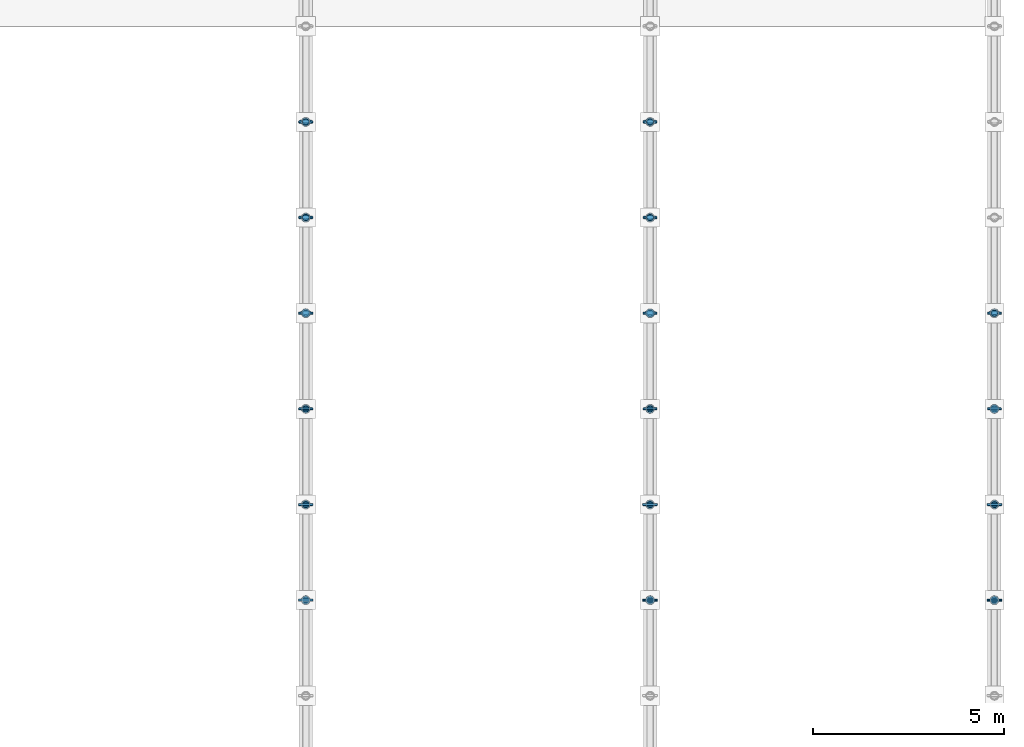
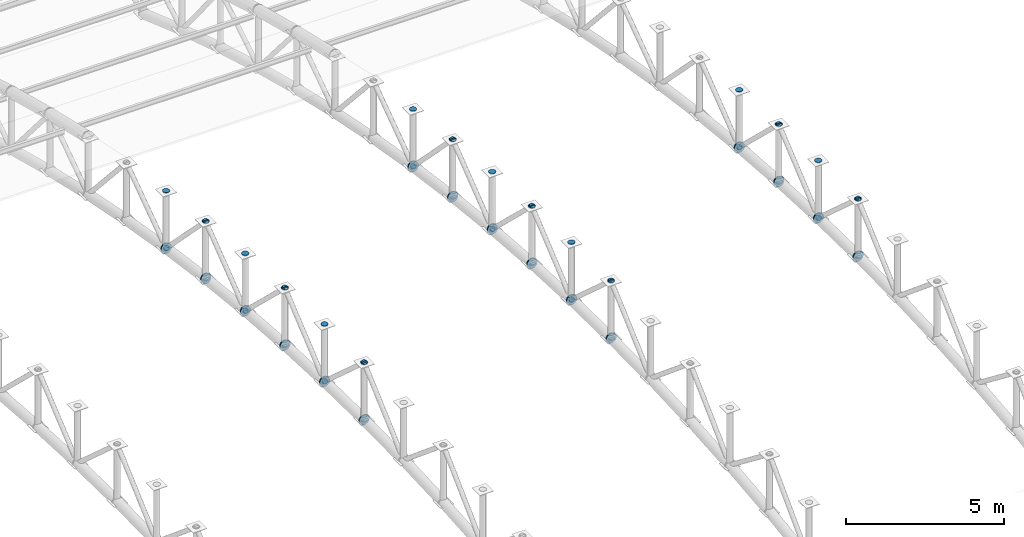
# One storey, part 163 of 195: 95 discrete accessories.
"""IFC4 building model written with IfcOpenShell, lengths in metres."""

from ifc_helpers import new_model, si_unit, direction, frame, origin, origin_2d, place, context, subcontext, project, spatial, circle, extrude, material, element, save


model = new_model("IFC4")

# Units and contexts
model_context = context("Model", 3, precision=1e-05, world=origin(), true_north=direction((0.0, 1.0)))
body_context = subcontext(model_context, "Body", "Model", "MODEL_VIEW")
ifc_project = project(units=[si_unit("LENGTHUNIT", "METRE"), si_unit("AREAUNIT", "SQUARE_METRE"), si_unit("VOLUMEUNIT", "CUBIC_METRE"), si_unit("PLANEANGLEUNIT", "RADIAN"), si_unit("MASSUNIT", "GRAM", prefix="KILO")], contexts=[model_context])

# Site, building, storey
site_placement = place(None, origin())
site = spatial("IfcSite", under=ifc_project, at=site_placement, CompositionType="ELEMENT")
building_placement = place(site_placement, origin())
building = spatial("IfcBuilding", under=site, at=building_placement, Name="Marlcrest Central Station", CompositionType="ELEMENT")
storey_placement = place(building_placement, frame((0.0, 0.0, 9.800048828125)))
storey = spatial("IfcBuildingStorey", under=building, at=storey_placement, Name="L02", CompositionType="ELEMENT", Elevation=9.800048828125)

# Discrete accessories
ifc_material = material(Name="Steel S355", Category="steel")
discrete_accessory_1_placement = place(storey_placement, frame((198.0, 65.9814453125, 6.9833984375), z_axis=(0.0, 0.744955843007, 0.66711377738), x_axis=(-1.0, 0.0, 0.0)))
element("IfcDiscreteAccessory", 1, at=discrete_accessory_1_placement, inside=storey, material=ifc_material, Name="endcap-mem-AD-01-L02-01835-e", ObjectType="END_CAP_PLATE", PredefinedType="BRACKET", context=body_context, shape_type="SweptSolid", body=[
    extrude(circle(Radius=0.092041015625, at=origin_2d()), origin(), (0.0, 0.0, 1.0), 0.0400390625),
])
for number, where, z_axis, x_axis, name in (
    (2, (198.0, 65.985107421875, 4.80029296875), (0.0, 0.999879472592, -0.01552547228), (-1.0, 0.0, 0.0), "endcap-mem-AC-02-L02-01837-s"),
    (3, (198.0, 68.47509765625, 4.76171875), (0.0, 0.999879472592, -0.01552547228), (-1.0, 0.0, 0.0), "endcap-mem-AC-02-L02-01837-e"),
):
    element("IfcDiscreteAccessory", number, at=place(storey_placement, frame(where, z_axis=z_axis, x_axis=x_axis)), inside=storey, material=ifc_material, Name=name, ObjectType="END_CAP_PLATE", PredefinedType="BRACKET", context=body_context, shape_type="SweptSolid", body=[
        extrude(circle(Radius=0.185791015625, at=origin_2d()), origin(), (0.0, 0.0, 1.0), 0.0400390625),
    ])
for number, where, z_axis, x_axis, name in (
    (4, (198.0, 66.0, 4.78515625), (0.0, 0.0, 1.0), (1.0, 0.0, 0.0), "endcap-mem-AP-01-L02-01838-s"),
    (5, (198.0, 66.0, 6.97509765625), (0.0, 0.0, 1.0), (1.0, 0.0, 0.0), "endcap-mem-AP-01-L02-01838-e"),
):
    element("IfcDiscreteAccessory", number, at=place(storey_placement, frame(where, z_axis=z_axis, x_axis=x_axis)), inside=storey, material=ifc_material, Name=name, ObjectType="END_CAP_PLATE", PredefinedType="BRACKET", context=body_context, shape_type="SweptSolid", body=[
        extrude(circle(Radius=0.117431640625, at=origin_2d()), origin(), (0.0, 0.0, 1.0), 0.0400390625),
    ])
for number, where, z_axis, x_axis, name in (
    (6, (198.0, 65.98876953125, 7.010009765625), (0.0, 0.744955843007, -0.66711377738), (-1.0, 0.0, 0.0), "endcap-mem-AD-01-L02-01839-s"),
    (7, (198.0, 68.4814453125, 4.77783203125), (0.0, 0.744955843007, -0.66711377738), (-1.0, 0.0, 0.0), "endcap-mem-AD-01-L02-01839-e"),
):
    element("IfcDiscreteAccessory", number, at=place(storey_placement, frame(where, z_axis=z_axis, x_axis=x_axis)), inside=storey, material=ifc_material, Name=name, ObjectType="END_CAP_PLATE", PredefinedType="BRACKET", context=body_context, shape_type="SweptSolid", body=[
        extrude(circle(Radius=0.092041015625, at=origin_2d()), origin(), (0.0, 0.0, 1.0), 0.0400390625),
    ])
for number, where, z_axis, x_axis, name in (
    (8, (198.0, 68.485107421875, 4.761962890625), (0.0, 0.998916819647, -0.046531574509), (-1.0, 0.0, 0.0), "endcap-mem-AC-02-L02-01841-s"),
    (9, (198.0, 70.97509765625, 4.64599609375), (0.0, 0.998916819647, -0.046531574509), (-1.0, 0.0, 0.0), "endcap-mem-AC-02-L02-01841-e"),
):
    element("IfcDiscreteAccessory", number, at=place(storey_placement, frame(where, z_axis=z_axis, x_axis=x_axis)), inside=storey, material=ifc_material, Name=name, ObjectType="END_CAP_PLATE", PredefinedType="BRACKET", context=body_context, shape_type="SweptSolid", body=[
        extrude(circle(Radius=0.185791015625, at=origin_2d()), origin(), (0.0, 0.0, 1.0), 0.0400390625),
    ])
for number, where, z_axis, x_axis, name in (
    (10, (198.0, 68.5, 4.746337890625), (0.0, 0.0, 1.0), (1.0, 0.0, 0.0), "endcap-mem-AP-01-L02-01842-s"),
    (11, (198.0, 68.5, 6.936279296875), (0.0, 0.0, 1.0), (1.0, 0.0, 0.0), "endcap-mem-AP-01-L02-01842-e"),
):
    element("IfcDiscreteAccessory", number, at=place(storey_placement, frame(where, z_axis=z_axis, x_axis=x_axis)), inside=storey, material=ifc_material, Name=name, ObjectType="END_CAP_PLATE", PredefinedType="BRACKET", context=body_context, shape_type="SweptSolid", body=[
        extrude(circle(Radius=0.117431640625, at=origin_2d()), origin(), (0.0, 0.0, 1.0), 0.0400390625),
    ])
for number, where, z_axis, x_axis, name in (
    (12, (198.0, 68.488525390625, 4.751708984375), (0.0, 0.768159787854, 0.640258182552), (-1.0, 0.0, 0.0), "endcap-mem-AD-01-L02-01843-s"),
    (13, (198.0, 70.980712890625, 6.828857421875), (0.0, 0.768159787854, 0.640258182552), (-1.0, 0.0, 0.0), "endcap-mem-AD-01-L02-01843-e"),
):
    element("IfcDiscreteAccessory", number, at=place(storey_placement, frame(where, z_axis=z_axis, x_axis=x_axis)), inside=storey, material=ifc_material, Name=name, ObjectType="END_CAP_PLATE", PredefinedType="BRACKET", context=body_context, shape_type="SweptSolid", body=[
        extrude(circle(Radius=0.092041015625, at=origin_2d()), origin(), (0.0, 0.0, 1.0), 0.0400390625),
    ])
for number, where, z_axis, x_axis, name in (
    (14, (198.0, 70.985107421875, 4.64599609375), (0.0, 0.997007334767, -0.077307014043), (-1.0, 0.0, 0.0), "endcap-mem-AC-02-L02-01845-s"),
    (15, (198.0, 73.47509765625, 4.452880859375), (0.0, 0.997007334767, -0.077307014043), (-1.0, 0.0, 0.0), "endcap-mem-AC-02-L02-01845-e"),
):
    element("IfcDiscreteAccessory", number, at=place(storey_placement, frame(where, z_axis=z_axis, x_axis=x_axis)), inside=storey, material=ifc_material, Name=name, ObjectType="END_CAP_PLATE", PredefinedType="BRACKET", context=body_context, shape_type="SweptSolid", body=[
        extrude(circle(Radius=0.185791015625, at=origin_2d()), origin(), (0.0, 0.0, 1.0), 0.0400390625),
    ])
for number, where, z_axis, x_axis, name in (
    (16, (198.0, 71.0, 4.6298828125), (0.0, 0.0, 1.0), (1.0, 0.0, 0.0), "endcap-mem-AP-01-L02-01846-s"),
    (17, (198.0, 71.0, 6.820068359375), (0.0, 0.0, 1.0), (1.0, 0.0, 0.0), "endcap-mem-AP-01-L02-01846-e"),
):
    element("IfcDiscreteAccessory", number, at=place(storey_placement, frame(where, z_axis=z_axis, x_axis=x_axis)), inside=storey, material=ifc_material, Name=name, ObjectType="END_CAP_PLATE", PredefinedType="BRACKET", context=body_context, shape_type="SweptSolid", body=[
        extrude(circle(Radius=0.117431640625, at=origin_2d()), origin(), (0.0, 0.0, 1.0), 0.0400390625),
    ])
for number, where, z_axis, x_axis, name in (
    (18, (198.0, 70.9892578125, 6.855224609375), (0.0, 0.722246537655, -0.691635698071), (-1.0, 0.0, 0.0), "endcap-mem-AD-01-L02-01847-s"),
    (19, (198.0, 73.48193359375, 4.46826171875), (0.0, 0.722246537655, -0.691635698071), (-1.0, 0.0, 0.0), "endcap-mem-AD-01-L02-01847-e"),
):
    element("IfcDiscreteAccessory", number, at=place(storey_placement, frame(where, z_axis=z_axis, x_axis=x_axis)), inside=storey, material=ifc_material, Name=name, ObjectType="END_CAP_PLATE", PredefinedType="BRACKET", context=body_context, shape_type="SweptSolid", body=[
        extrude(circle(Radius=0.092041015625, at=origin_2d()), origin(), (0.0, 0.0, 1.0), 0.0400390625),
    ])
for number, where, z_axis, x_axis, name in (
    (20, (198.0, 73.485107421875, 4.45263671875), (0.0, 0.994155341034, -0.107959056565), (-1.0, 0.0, 0.0), "endcap-mem-AC-02-L02-01849-s"),
    (21, (198.0, 75.97509765625, 4.18212890625), (0.0, 0.994155341034, -0.107959056565), (-1.0, 0.0, 0.0), "endcap-mem-AC-02-L02-01849-e"),
):
    element("IfcDiscreteAccessory", number, at=place(storey_placement, frame(where, z_axis=z_axis, x_axis=x_axis)), inside=storey, material=ifc_material, Name=name, ObjectType="END_CAP_PLATE", PredefinedType="BRACKET", context=body_context, shape_type="SweptSolid", body=[
        extrude(circle(Radius=0.185791015625, at=origin_2d()), origin(), (0.0, 0.0, 1.0), 0.0400390625),
    ])
for number, where, z_axis, x_axis, name in (
    (22, (198.0, 73.5, 4.43603515625), (0.0, 0.0, 1.0), (1.0, 0.0, 0.0), "endcap-mem-AP-01-L02-01850-s"),
    (23, (198.0, 73.5, 6.6259765625), (0.0, 0.0, 1.0), (1.0, 0.0, 0.0), "endcap-mem-AP-01-L02-01850-e"),
):
    element("IfcDiscreteAccessory", number, at=place(storey_placement, frame(where, z_axis=z_axis, x_axis=x_axis)), inside=storey, material=ifc_material, Name=name, ObjectType="END_CAP_PLATE", PredefinedType="BRACKET", context=body_context, shape_type="SweptSolid", body=[
        extrude(circle(Radius=0.117431640625, at=origin_2d()), origin(), (0.0, 0.0, 1.0), 0.0400390625),
    ])
for number, where, z_axis, x_axis, name in (
    (24, (198.0, 73.488037109375, 4.441650390625), (0.0, 0.791798282026, 0.610782678684), (-1.0, 0.0, 0.0), "endcap-mem-AD-01-L02-01851-s"),
    (25, (198.0, 75.980224609375, 6.364013671875), (0.0, 0.791798282026, 0.610782678684), (-1.0, 0.0, 0.0), "endcap-mem-AD-01-L02-01851-e"),
):
    element("IfcDiscreteAccessory", number, at=place(storey_placement, frame(where, z_axis=z_axis, x_axis=x_axis)), inside=storey, material=ifc_material, Name=name, ObjectType="END_CAP_PLATE", PredefinedType="BRACKET", context=body_context, shape_type="SweptSolid", body=[
        extrude(circle(Radius=0.092041015625, at=origin_2d()), origin(), (0.0, 0.0, 1.0), 0.0400390625),
    ])
for number, where, z_axis, x_axis, name in (
    (26, (198.0, 75.985107421875, 4.181396484375), (0.0, 0.990402740232, -0.138211476152), (-1.0, 0.0, 0.0), "endcap-mem-AC-02-L02-01853-s"),
    (27, (198.0, 78.475341796875, 3.833984375), (0.0, 0.990402740232, -0.138211476152), (-1.0, 0.0, 0.0), "endcap-mem-AC-02-L02-01853-e"),
):
    element("IfcDiscreteAccessory", number, at=place(storey_placement, frame(where, z_axis=z_axis, x_axis=x_axis)), inside=storey, material=ifc_material, Name=name, ObjectType="END_CAP_PLATE", PredefinedType="BRACKET", context=body_context, shape_type="SweptSolid", body=[
        extrude(circle(Radius=0.185791015625, at=origin_2d()), origin(), (0.0, 0.0, 1.0), 0.0400390625),
    ])
for number, where, z_axis, x_axis, name in (
    (28, (198.0, 76.0, 4.16455078125), (0.0, 0.0, 1.0), (1.0, 0.0, 0.0), "endcap-mem-AP-01-L02-01854-s"),
    (29, (198.0, 76.0, 6.3544921875), (0.0, 0.0, 1.0), (1.0, 0.0, 0.0), "endcap-mem-AP-01-L02-01854-e"),
):
    element("IfcDiscreteAccessory", number, at=place(storey_placement, frame(where, z_axis=z_axis, x_axis=x_axis)), inside=storey, material=ifc_material, Name=name, ObjectType="END_CAP_PLATE", PredefinedType="BRACKET", context=body_context, shape_type="SweptSolid", body=[
        extrude(circle(Radius=0.117431640625, at=origin_2d()), origin(), (0.0, 0.0, 1.0), 0.0400390625),
    ])
for number, where, z_axis, x_axis, name in (
    (30, (198.0, 75.989501953125, 6.39013671875), (0.0, 0.70023547796, -0.713911952139), (-1.0, 0.0, 0.0), "endcap-mem-AD-01-L02-01855-s"),
    (31, (198.0, 78.482421875, 3.848388671875), (0.0, 0.70023547796, -0.713911952139), (-1.0, 0.0, 0.0), "endcap-mem-AD-01-L02-01855-e"),
):
    element("IfcDiscreteAccessory", number, at=place(storey_placement, frame(where, z_axis=z_axis, x_axis=x_axis)), inside=storey, material=ifc_material, Name=name, ObjectType="END_CAP_PLATE", PredefinedType="BRACKET", context=body_context, shape_type="SweptSolid", body=[
        extrude(circle(Radius=0.092041015625, at=origin_2d()), origin(), (0.0, 0.0, 1.0), 0.0400390625),
    ])
discrete_accessory_2_placement = place(storey_placement, frame((198.0, 78.485107421875, 3.8330078125), z_axis=(0.0, 0.98574109921, -0.168269086076), x_axis=(-1.0, 0.0, 0.0)))
element("IfcDiscreteAccessory", 32, at=discrete_accessory_2_placement, inside=storey, material=ifc_material, Name="endcap-mem-AC-02-L02-01857-s", ObjectType="END_CAP_PLATE", PredefinedType="BRACKET", context=body_context, shape_type="SweptSolid", body=[
    extrude(circle(Radius=0.185791015625, at=origin_2d()), origin(), (0.0, 0.0, 1.0), 0.0400390625),
])
for number, where, z_axis, x_axis, name in (
    (33, (198.0, 78.5, 3.815673828125), (0.0, 0.0, 1.0), (1.0, 0.0, 0.0), "endcap-mem-AP-01-L02-01858-s"),
    (34, (198.0, 78.5, 6.005615234375), (0.0, 0.0, 1.0), (1.0, 0.0, 0.0), "endcap-mem-AP-01-L02-01858-e"),
):
    element("IfcDiscreteAccessory", number, at=place(storey_placement, frame(where, z_axis=z_axis, x_axis=x_axis)), inside=storey, material=ifc_material, Name=name, ObjectType="END_CAP_PLATE", PredefinedType="BRACKET", context=body_context, shape_type="SweptSolid", body=[
        extrude(circle(Radius=0.117431640625, at=origin_2d()), origin(), (0.0, 0.0, 1.0), 0.0400390625),
    ])
discrete_accessory_3_placement = place(storey_placement, frame((198.0, 78.48779296875, 3.82177734375), z_axis=(0.0, 0.815661132754, 0.57852996164), x_axis=(-1.0, 0.0, 0.0)))
element("IfcDiscreteAccessory", 35, at=discrete_accessory_3_placement, inside=storey, material=ifc_material, Name="endcap-mem-AD-01-L02-01859-s", ObjectType="END_CAP_PLATE", PredefinedType="BRACKET", context=body_context, shape_type="SweptSolid", body=[
    extrude(circle(Radius=0.092041015625, at=origin_2d()), origin(), (0.0, 0.0, 1.0), 0.0400390625),
])
discrete_accessory_4_placement = place(storey_placement, frame((207.0, 65.97509765625, 4.799560546875), z_axis=(0.0, 0.999879472592, 0.01552547228), x_axis=(-1.0, 0.0, 0.0)))
element("IfcDiscreteAccessory", 36, at=discrete_accessory_4_placement, inside=storey, material=ifc_material, Name="endcap-mem-AC-02-L02-01949-e", ObjectType="END_CAP_PLATE", PredefinedType="BRACKET", context=body_context, shape_type="SweptSolid", body=[
    extrude(circle(Radius=0.185791015625, at=origin_2d()), origin(), (0.0, 0.0, 1.0), 0.0400390625),
])
discrete_accessory_5_placement = place(storey_placement, frame((207.0, 65.9814453125, 6.9833984375), z_axis=(0.0, 0.744955843007, 0.66711377738), x_axis=(-1.0, 0.0, 0.0)))
element("IfcDiscreteAccessory", 37, at=discrete_accessory_5_placement, inside=storey, material=ifc_material, Name="endcap-mem-AD-01-L02-01951-e", ObjectType="END_CAP_PLATE", PredefinedType="BRACKET", context=body_context, shape_type="SweptSolid", body=[
    extrude(circle(Radius=0.092041015625, at=origin_2d()), origin(), (0.0, 0.0, 1.0), 0.0400390625),
])
for number, where, z_axis, x_axis, name in (
    (38, (207.0, 65.985107421875, 4.80029296875), (0.0, 0.999879472592, -0.01552547228), (-1.0, 0.0, 0.0), "endcap-mem-AC-02-L02-01953-s"),
    (39, (207.0, 68.47509765625, 4.76171875), (0.0, 0.999879472592, -0.01552547228), (-1.0, 0.0, 0.0), "endcap-mem-AC-02-L02-01953-e"),
):
    element("IfcDiscreteAccessory", number, at=place(storey_placement, frame(where, z_axis=z_axis, x_axis=x_axis)), inside=storey, material=ifc_material, Name=name, ObjectType="END_CAP_PLATE", PredefinedType="BRACKET", context=body_context, shape_type="SweptSolid", body=[
        extrude(circle(Radius=0.185791015625, at=origin_2d()), origin(), (0.0, 0.0, 1.0), 0.0400390625),
    ])
for number, where, z_axis, x_axis, name in (
    (40, (207.0, 66.0, 4.78515625), (0.0, 0.0, 1.0), (1.0, 0.0, 0.0), "endcap-mem-AP-01-L02-01954-s"),
    (41, (207.0, 66.0, 6.97509765625), (0.0, 0.0, 1.0), (1.0, 0.0, 0.0), "endcap-mem-AP-01-L02-01954-e"),
):
    element("IfcDiscreteAccessory", number, at=place(storey_placement, frame(where, z_axis=z_axis, x_axis=x_axis)), inside=storey, material=ifc_material, Name=name, ObjectType="END_CAP_PLATE", PredefinedType="BRACKET", context=body_context, shape_type="SweptSolid", body=[
        extrude(circle(Radius=0.117431640625, at=origin_2d()), origin(), (0.0, 0.0, 1.0), 0.0400390625),
    ])
for number, where, z_axis, x_axis, name in (
    (42, (207.0, 65.98876953125, 7.010009765625), (0.0, 0.744955843007, -0.66711377738), (-1.0, 0.0, 0.0), "endcap-mem-AD-01-L02-01955-s"),
    (43, (207.0, 68.4814453125, 4.77783203125), (0.0, 0.744955843007, -0.66711377738), (-1.0, 0.0, 0.0), "endcap-mem-AD-01-L02-01955-e"),
):
    element("IfcDiscreteAccessory", number, at=place(storey_placement, frame(where, z_axis=z_axis, x_axis=x_axis)), inside=storey, material=ifc_material, Name=name, ObjectType="END_CAP_PLATE", PredefinedType="BRACKET", context=body_context, shape_type="SweptSolid", body=[
        extrude(circle(Radius=0.092041015625, at=origin_2d()), origin(), (0.0, 0.0, 1.0), 0.0400390625),
    ])
for number, where, z_axis, x_axis, name in (
    (44, (207.0, 68.485107421875, 4.761962890625), (0.0, 0.998916819647, -0.046531574509), (-1.0, 0.0, 0.0), "endcap-mem-AC-02-L02-01957-s"),
    (45, (207.0, 70.97509765625, 4.64599609375), (0.0, 0.998916819647, -0.046531574509), (-1.0, 0.0, 0.0), "endcap-mem-AC-02-L02-01957-e"),
):
    element("IfcDiscreteAccessory", number, at=place(storey_placement, frame(where, z_axis=z_axis, x_axis=x_axis)), inside=storey, material=ifc_material, Name=name, ObjectType="END_CAP_PLATE", PredefinedType="BRACKET", context=body_context, shape_type="SweptSolid", body=[
        extrude(circle(Radius=0.185791015625, at=origin_2d()), origin(), (0.0, 0.0, 1.0), 0.0400390625),
    ])
for number, where, z_axis, x_axis, name in (
    (46, (207.0, 68.5, 4.746337890625), (0.0, 0.0, 1.0), (1.0, 0.0, 0.0), "endcap-mem-AP-01-L02-01958-s"),
    (47, (207.0, 68.5, 6.936279296875), (0.0, 0.0, 1.0), (1.0, 0.0, 0.0), "endcap-mem-AP-01-L02-01958-e"),
):
    element("IfcDiscreteAccessory", number, at=place(storey_placement, frame(where, z_axis=z_axis, x_axis=x_axis)), inside=storey, material=ifc_material, Name=name, ObjectType="END_CAP_PLATE", PredefinedType="BRACKET", context=body_context, shape_type="SweptSolid", body=[
        extrude(circle(Radius=0.117431640625, at=origin_2d()), origin(), (0.0, 0.0, 1.0), 0.0400390625),
    ])
for number, where, z_axis, x_axis, name in (
    (48, (207.0, 68.488525390625, 4.751708984375), (0.0, 0.768159787854, 0.640258182552), (-1.0, 0.0, 0.0), "endcap-mem-AD-01-L02-01959-s"),
    (49, (207.0, 70.980712890625, 6.828857421875), (0.0, 0.768159787854, 0.640258182552), (-1.0, 0.0, 0.0), "endcap-mem-AD-01-L02-01959-e"),
):
    element("IfcDiscreteAccessory", number, at=place(storey_placement, frame(where, z_axis=z_axis, x_axis=x_axis)), inside=storey, material=ifc_material, Name=name, ObjectType="END_CAP_PLATE", PredefinedType="BRACKET", context=body_context, shape_type="SweptSolid", body=[
        extrude(circle(Radius=0.092041015625, at=origin_2d()), origin(), (0.0, 0.0, 1.0), 0.0400390625),
    ])
for number, where, z_axis, x_axis, name in (
    (50, (207.0, 70.985107421875, 4.64599609375), (0.0, 0.997007334767, -0.077307014043), (-1.0, 0.0, 0.0), "endcap-mem-AC-02-L02-01961-s"),
    (51, (207.0, 73.47509765625, 4.452880859375), (0.0, 0.997007334767, -0.077307014043), (-1.0, 0.0, 0.0), "endcap-mem-AC-02-L02-01961-e"),
):
    element("IfcDiscreteAccessory", number, at=place(storey_placement, frame(where, z_axis=z_axis, x_axis=x_axis)), inside=storey, material=ifc_material, Name=name, ObjectType="END_CAP_PLATE", PredefinedType="BRACKET", context=body_context, shape_type="SweptSolid", body=[
        extrude(circle(Radius=0.185791015625, at=origin_2d()), origin(), (0.0, 0.0, 1.0), 0.0400390625),
    ])
for number, where, z_axis, x_axis, name in (
    (52, (207.0, 71.0, 4.6298828125), (0.0, 0.0, 1.0), (1.0, 0.0, 0.0), "endcap-mem-AP-01-L02-01962-s"),
    (53, (207.0, 71.0, 6.820068359375), (0.0, 0.0, 1.0), (1.0, 0.0, 0.0), "endcap-mem-AP-01-L02-01962-e"),
):
    element("IfcDiscreteAccessory", number, at=place(storey_placement, frame(where, z_axis=z_axis, x_axis=x_axis)), inside=storey, material=ifc_material, Name=name, ObjectType="END_CAP_PLATE", PredefinedType="BRACKET", context=body_context, shape_type="SweptSolid", body=[
        extrude(circle(Radius=0.117431640625, at=origin_2d()), origin(), (0.0, 0.0, 1.0), 0.0400390625),
    ])
for number, where, z_axis, x_axis, name in (
    (54, (207.0, 70.9892578125, 6.855224609375), (0.0, 0.722246537655, -0.691635698071), (-1.0, 0.0, 0.0), "endcap-mem-AD-01-L02-01963-s"),
    (55, (207.0, 73.48193359375, 4.46826171875), (0.0, 0.722246537655, -0.691635698071), (-1.0, 0.0, 0.0), "endcap-mem-AD-01-L02-01963-e"),
):
    element("IfcDiscreteAccessory", number, at=place(storey_placement, frame(where, z_axis=z_axis, x_axis=x_axis)), inside=storey, material=ifc_material, Name=name, ObjectType="END_CAP_PLATE", PredefinedType="BRACKET", context=body_context, shape_type="SweptSolid", body=[
        extrude(circle(Radius=0.092041015625, at=origin_2d()), origin(), (0.0, 0.0, 1.0), 0.0400390625),
    ])
for number, where, z_axis, x_axis, name in (
    (56, (207.0, 73.485107421875, 4.45263671875), (0.0, 0.994155341034, -0.107959056565), (-1.0, 0.0, 0.0), "endcap-mem-AC-02-L02-01965-s"),
    (57, (207.0, 75.97509765625, 4.18212890625), (0.0, 0.994155341034, -0.107959056565), (-1.0, 0.0, 0.0), "endcap-mem-AC-02-L02-01965-e"),
):
    element("IfcDiscreteAccessory", number, at=place(storey_placement, frame(where, z_axis=z_axis, x_axis=x_axis)), inside=storey, material=ifc_material, Name=name, ObjectType="END_CAP_PLATE", PredefinedType="BRACKET", context=body_context, shape_type="SweptSolid", body=[
        extrude(circle(Radius=0.185791015625, at=origin_2d()), origin(), (0.0, 0.0, 1.0), 0.0400390625),
    ])
for number, where, z_axis, x_axis, name in (
    (58, (207.0, 73.5, 4.43603515625), (0.0, 0.0, 1.0), (1.0, 0.0, 0.0), "endcap-mem-AP-01-L02-01966-s"),
    (59, (207.0, 73.5, 6.6259765625), (0.0, 0.0, 1.0), (1.0, 0.0, 0.0), "endcap-mem-AP-01-L02-01966-e"),
):
    element("IfcDiscreteAccessory", number, at=place(storey_placement, frame(where, z_axis=z_axis, x_axis=x_axis)), inside=storey, material=ifc_material, Name=name, ObjectType="END_CAP_PLATE", PredefinedType="BRACKET", context=body_context, shape_type="SweptSolid", body=[
        extrude(circle(Radius=0.117431640625, at=origin_2d()), origin(), (0.0, 0.0, 1.0), 0.0400390625),
    ])
for number, where, z_axis, x_axis, name in (
    (60, (207.0, 73.488037109375, 4.441650390625), (0.0, 0.791798282026, 0.610782678684), (-1.0, 0.0, 0.0), "endcap-mem-AD-01-L02-01967-s"),
    (61, (207.0, 75.980224609375, 6.364013671875), (0.0, 0.791798282026, 0.610782678684), (-1.0, 0.0, 0.0), "endcap-mem-AD-01-L02-01967-e"),
):
    element("IfcDiscreteAccessory", number, at=place(storey_placement, frame(where, z_axis=z_axis, x_axis=x_axis)), inside=storey, material=ifc_material, Name=name, ObjectType="END_CAP_PLATE", PredefinedType="BRACKET", context=body_context, shape_type="SweptSolid", body=[
        extrude(circle(Radius=0.092041015625, at=origin_2d()), origin(), (0.0, 0.0, 1.0), 0.0400390625),
    ])
for number, where, z_axis, x_axis, name in (
    (62, (207.0, 75.985107421875, 4.181396484375), (0.0, 0.990402740232, -0.138211476152), (-1.0, 0.0, 0.0), "endcap-mem-AC-02-L02-01969-s"),
    (63, (207.0, 78.475341796875, 3.833984375), (0.0, 0.990402740232, -0.138211476152), (-1.0, 0.0, 0.0), "endcap-mem-AC-02-L02-01969-e"),
):
    element("IfcDiscreteAccessory", number, at=place(storey_placement, frame(where, z_axis=z_axis, x_axis=x_axis)), inside=storey, material=ifc_material, Name=name, ObjectType="END_CAP_PLATE", PredefinedType="BRACKET", context=body_context, shape_type="SweptSolid", body=[
        extrude(circle(Radius=0.185791015625, at=origin_2d()), origin(), (0.0, 0.0, 1.0), 0.0400390625),
    ])
for number, where, z_axis, x_axis, name in (
    (64, (207.0, 76.0, 4.16455078125), (0.0, 0.0, 1.0), (1.0, 0.0, 0.0), "endcap-mem-AP-01-L02-01970-s"),
    (65, (207.0, 76.0, 6.3544921875), (0.0, 0.0, 1.0), (1.0, 0.0, 0.0), "endcap-mem-AP-01-L02-01970-e"),
):
    element("IfcDiscreteAccessory", number, at=place(storey_placement, frame(where, z_axis=z_axis, x_axis=x_axis)), inside=storey, material=ifc_material, Name=name, ObjectType="END_CAP_PLATE", PredefinedType="BRACKET", context=body_context, shape_type="SweptSolid", body=[
        extrude(circle(Radius=0.117431640625, at=origin_2d()), origin(), (0.0, 0.0, 1.0), 0.0400390625),
    ])
for number, where, z_axis, x_axis, name in (
    (66, (207.0, 75.989501953125, 6.39013671875), (0.0, 0.70023547796, -0.713911952139), (-1.0, 0.0, 0.0), "endcap-mem-AD-01-L02-01971-s"),
    (67, (207.0, 78.482421875, 3.848388671875), (0.0, 0.70023547796, -0.713911952139), (-1.0, 0.0, 0.0), "endcap-mem-AD-01-L02-01971-e"),
):
    element("IfcDiscreteAccessory", number, at=place(storey_placement, frame(where, z_axis=z_axis, x_axis=x_axis)), inside=storey, material=ifc_material, Name=name, ObjectType="END_CAP_PLATE", PredefinedType="BRACKET", context=body_context, shape_type="SweptSolid", body=[
        extrude(circle(Radius=0.092041015625, at=origin_2d()), origin(), (0.0, 0.0, 1.0), 0.0400390625),
    ])
discrete_accessory_6_placement = place(storey_placement, frame((207.0, 78.485107421875, 3.8330078125), z_axis=(0.0, 0.98574109921, -0.168269086076), x_axis=(-1.0, 0.0, 0.0)))
element("IfcDiscreteAccessory", 68, at=discrete_accessory_6_placement, inside=storey, material=ifc_material, Name="endcap-mem-AC-02-L02-01973-s", ObjectType="END_CAP_PLATE", PredefinedType="BRACKET", context=body_context, shape_type="SweptSolid", body=[
    extrude(circle(Radius=0.185791015625, at=origin_2d()), origin(), (0.0, 0.0, 1.0), 0.0400390625),
])
for number, where, z_axis, x_axis, name in (
    (69, (207.0, 78.5, 3.815673828125), (0.0, 0.0, 1.0), (1.0, 0.0, 0.0), "endcap-mem-AP-01-L02-01974-s"),
    (70, (207.0, 78.5, 6.005615234375), (0.0, 0.0, 1.0), (1.0, 0.0, 0.0), "endcap-mem-AP-01-L02-01974-e"),
):
    element("IfcDiscreteAccessory", number, at=place(storey_placement, frame(where, z_axis=z_axis, x_axis=x_axis)), inside=storey, material=ifc_material, Name=name, ObjectType="END_CAP_PLATE", PredefinedType="BRACKET", context=body_context, shape_type="SweptSolid", body=[
        extrude(circle(Radius=0.117431640625, at=origin_2d()), origin(), (0.0, 0.0, 1.0), 0.0400390625),
    ])
discrete_accessory_7_placement = place(storey_placement, frame((207.0, 78.48779296875, 3.82177734375), z_axis=(0.0, 0.815661132754, 0.57852996164), x_axis=(-1.0, 0.0, 0.0)))
element("IfcDiscreteAccessory", 71, at=discrete_accessory_7_placement, inside=storey, material=ifc_material, Name="endcap-mem-AD-01-L02-01975-s", ObjectType="END_CAP_PLATE", PredefinedType="BRACKET", context=body_context, shape_type="SweptSolid", body=[
    extrude(circle(Radius=0.092041015625, at=origin_2d()), origin(), (0.0, 0.0, 1.0), 0.0400390625),
])
discrete_accessory_8_placement = place(storey_placement, frame((216.0, 65.97509765625, 4.799560546875), z_axis=(0.0, 0.999879472592, 0.01552547228), x_axis=(-1.0, 0.0, 0.0)))
element("IfcDiscreteAccessory", 72, at=discrete_accessory_8_placement, inside=storey, material=ifc_material, Name="endcap-mem-AC-02-L02-02065-e", ObjectType="END_CAP_PLATE", PredefinedType="BRACKET", context=body_context, shape_type="SweptSolid", body=[
    extrude(circle(Radius=0.185791015625, at=origin_2d()), origin(), (0.0, 0.0, 1.0), 0.0400390625),
])
discrete_accessory_9_placement = place(storey_placement, frame((216.0, 65.9814453125, 6.9833984375), z_axis=(0.0, 0.744955843007, 0.66711377738), x_axis=(-1.0, 0.0, 0.0)))
element("IfcDiscreteAccessory", 73, at=discrete_accessory_9_placement, inside=storey, material=ifc_material, Name="endcap-mem-AD-01-L02-02067-e", ObjectType="END_CAP_PLATE", PredefinedType="BRACKET", context=body_context, shape_type="SweptSolid", body=[
    extrude(circle(Radius=0.092041015625, at=origin_2d()), origin(), (0.0, 0.0, 1.0), 0.0400390625),
])
for number, where, z_axis, x_axis, name in (
    (74, (216.0, 65.985107421875, 4.80029296875), (0.0, 0.999879472592, -0.01552547228), (-1.0, 0.0, 0.0), "endcap-mem-AC-02-L02-02069-s"),
    (75, (216.0, 68.47509765625, 4.76171875), (0.0, 0.999879472592, -0.01552547228), (-1.0, 0.0, 0.0), "endcap-mem-AC-02-L02-02069-e"),
):
    element("IfcDiscreteAccessory", number, at=place(storey_placement, frame(where, z_axis=z_axis, x_axis=x_axis)), inside=storey, material=ifc_material, Name=name, ObjectType="END_CAP_PLATE", PredefinedType="BRACKET", context=body_context, shape_type="SweptSolid", body=[
        extrude(circle(Radius=0.185791015625, at=origin_2d()), origin(), (0.0, 0.0, 1.0), 0.0400390625),
    ])
for number, where, z_axis, x_axis, name in (
    (76, (216.0, 66.0, 4.78515625), (0.0, 0.0, 1.0), (1.0, 0.0, 0.0), "endcap-mem-AP-01-L02-02070-s"),
    (77, (216.0, 66.0, 6.97509765625), (0.0, 0.0, 1.0), (1.0, 0.0, 0.0), "endcap-mem-AP-01-L02-02070-e"),
):
    element("IfcDiscreteAccessory", number, at=place(storey_placement, frame(where, z_axis=z_axis, x_axis=x_axis)), inside=storey, material=ifc_material, Name=name, ObjectType="END_CAP_PLATE", PredefinedType="BRACKET", context=body_context, shape_type="SweptSolid", body=[
        extrude(circle(Radius=0.117431640625, at=origin_2d()), origin(), (0.0, 0.0, 1.0), 0.0400390625),
    ])
for number, where, z_axis, x_axis, name in (
    (78, (216.0, 65.98876953125, 7.010009765625), (0.0, 0.744955843007, -0.66711377738), (-1.0, 0.0, 0.0), "endcap-mem-AD-01-L02-02071-s"),
    (79, (216.0, 68.4814453125, 4.77783203125), (0.0, 0.744955843007, -0.66711377738), (-1.0, 0.0, 0.0), "endcap-mem-AD-01-L02-02071-e"),
):
    element("IfcDiscreteAccessory", number, at=place(storey_placement, frame(where, z_axis=z_axis, x_axis=x_axis)), inside=storey, material=ifc_material, Name=name, ObjectType="END_CAP_PLATE", PredefinedType="BRACKET", context=body_context, shape_type="SweptSolid", body=[
        extrude(circle(Radius=0.092041015625, at=origin_2d()), origin(), (0.0, 0.0, 1.0), 0.0400390625),
    ])
for number, where, z_axis, x_axis, name in (
    (80, (216.0, 68.485107421875, 4.761962890625), (0.0, 0.998916819647, -0.046531574509), (-1.0, 0.0, 0.0), "endcap-mem-AC-02-L02-02073-s"),
    (81, (216.0, 70.97509765625, 4.64599609375), (0.0, 0.998916819647, -0.046531574509), (-1.0, 0.0, 0.0), "endcap-mem-AC-02-L02-02073-e"),
):
    element("IfcDiscreteAccessory", number, at=place(storey_placement, frame(where, z_axis=z_axis, x_axis=x_axis)), inside=storey, material=ifc_material, Name=name, ObjectType="END_CAP_PLATE", PredefinedType="BRACKET", context=body_context, shape_type="SweptSolid", body=[
        extrude(circle(Radius=0.185791015625, at=origin_2d()), origin(), (0.0, 0.0, 1.0), 0.0400390625),
    ])
for number, where, z_axis, x_axis, name in (
    (82, (216.0, 68.5, 4.746337890625), (0.0, 0.0, 1.0), (1.0, 0.0, 0.0), "endcap-mem-AP-01-L02-02074-s"),
    (83, (216.0, 68.5, 6.936279296875), (0.0, 0.0, 1.0), (1.0, 0.0, 0.0), "endcap-mem-AP-01-L02-02074-e"),
):
    element("IfcDiscreteAccessory", number, at=place(storey_placement, frame(where, z_axis=z_axis, x_axis=x_axis)), inside=storey, material=ifc_material, Name=name, ObjectType="END_CAP_PLATE", PredefinedType="BRACKET", context=body_context, shape_type="SweptSolid", body=[
        extrude(circle(Radius=0.117431640625, at=origin_2d()), origin(), (0.0, 0.0, 1.0), 0.0400390625),
    ])
for number, where, z_axis, x_axis, name in (
    (84, (216.0, 68.488525390625, 4.751708984375), (0.0, 0.768159787854, 0.640258182552), (-1.0, 0.0, 0.0), "endcap-mem-AD-01-L02-02075-s"),
    (85, (216.0, 70.980712890625, 6.828857421875), (0.0, 0.768159787854, 0.640258182552), (-1.0, 0.0, 0.0), "endcap-mem-AD-01-L02-02075-e"),
):
    element("IfcDiscreteAccessory", number, at=place(storey_placement, frame(where, z_axis=z_axis, x_axis=x_axis)), inside=storey, material=ifc_material, Name=name, ObjectType="END_CAP_PLATE", PredefinedType="BRACKET", context=body_context, shape_type="SweptSolid", body=[
        extrude(circle(Radius=0.092041015625, at=origin_2d()), origin(), (0.0, 0.0, 1.0), 0.0400390625),
    ])
for number, where, z_axis, x_axis, name in (
    (86, (216.0, 70.985107421875, 4.64599609375), (0.0, 0.997007334767, -0.077307014043), (-1.0, 0.0, 0.0), "endcap-mem-AC-02-L02-02077-s"),
    (87, (216.0, 73.47509765625, 4.452880859375), (0.0, 0.997007334767, -0.077307014043), (-1.0, 0.0, 0.0), "endcap-mem-AC-02-L02-02077-e"),
):
    element("IfcDiscreteAccessory", number, at=place(storey_placement, frame(where, z_axis=z_axis, x_axis=x_axis)), inside=storey, material=ifc_material, Name=name, ObjectType="END_CAP_PLATE", PredefinedType="BRACKET", context=body_context, shape_type="SweptSolid", body=[
        extrude(circle(Radius=0.185791015625, at=origin_2d()), origin(), (0.0, 0.0, 1.0), 0.0400390625),
    ])
for number, where, z_axis, x_axis, name in (
    (88, (216.0, 71.0, 4.6298828125), (0.0, 0.0, 1.0), (1.0, 0.0, 0.0), "endcap-mem-AP-01-L02-02078-s"),
    (89, (216.0, 71.0, 6.820068359375), (0.0, 0.0, 1.0), (1.0, 0.0, 0.0), "endcap-mem-AP-01-L02-02078-e"),
):
    element("IfcDiscreteAccessory", number, at=place(storey_placement, frame(where, z_axis=z_axis, x_axis=x_axis)), inside=storey, material=ifc_material, Name=name, ObjectType="END_CAP_PLATE", PredefinedType="BRACKET", context=body_context, shape_type="SweptSolid", body=[
        extrude(circle(Radius=0.117431640625, at=origin_2d()), origin(), (0.0, 0.0, 1.0), 0.0400390625),
    ])
for number, where, z_axis, x_axis, name in (
    (90, (216.0, 70.9892578125, 6.855224609375), (0.0, 0.722246537655, -0.691635698071), (-1.0, 0.0, 0.0), "endcap-mem-AD-01-L02-02079-s"),
    (91, (216.0, 73.48193359375, 4.46826171875), (0.0, 0.722246537655, -0.691635698071), (-1.0, 0.0, 0.0), "endcap-mem-AD-01-L02-02079-e"),
):
    element("IfcDiscreteAccessory", number, at=place(storey_placement, frame(where, z_axis=z_axis, x_axis=x_axis)), inside=storey, material=ifc_material, Name=name, ObjectType="END_CAP_PLATE", PredefinedType="BRACKET", context=body_context, shape_type="SweptSolid", body=[
        extrude(circle(Radius=0.092041015625, at=origin_2d()), origin(), (0.0, 0.0, 1.0), 0.0400390625),
    ])
discrete_accessory_10_placement = place(storey_placement, frame((216.0, 73.485107421875, 4.45263671875), z_axis=(0.0, 0.994155341034, -0.107959056565), x_axis=(-1.0, 0.0, 0.0)))
element("IfcDiscreteAccessory", 92, at=discrete_accessory_10_placement, inside=storey, material=ifc_material, Name="endcap-mem-AC-02-L02-02081-s", ObjectType="END_CAP_PLATE", PredefinedType="BRACKET", context=body_context, shape_type="SweptSolid", body=[
    extrude(circle(Radius=0.185791015625, at=origin_2d()), origin(), (0.0, 0.0, 1.0), 0.0400390625),
])
for number, where, z_axis, x_axis, name in (
    (93, (216.0, 73.5, 4.43603515625), (0.0, 0.0, 1.0), (1.0, 0.0, 0.0), "endcap-mem-AP-01-L02-02082-s"),
    (94, (216.0, 73.5, 6.6259765625), (0.0, 0.0, 1.0), (1.0, 0.0, 0.0), "endcap-mem-AP-01-L02-02082-e"),
):
    element("IfcDiscreteAccessory", number, at=place(storey_placement, frame(where, z_axis=z_axis, x_axis=x_axis)), inside=storey, material=ifc_material, Name=name, ObjectType="END_CAP_PLATE", PredefinedType="BRACKET", context=body_context, shape_type="SweptSolid", body=[
        extrude(circle(Radius=0.117431640625, at=origin_2d()), origin(), (0.0, 0.0, 1.0), 0.0400390625),
    ])
discrete_accessory_11_placement = place(storey_placement, frame((216.0, 73.488037109375, 4.441650390625), z_axis=(0.0, 0.791798282026, 0.610782678684), x_axis=(-1.0, 0.0, 0.0)))
element("IfcDiscreteAccessory", 95, at=discrete_accessory_11_placement, inside=storey, material=ifc_material, Name="endcap-mem-AD-01-L02-02083-s", ObjectType="END_CAP_PLATE", PredefinedType="BRACKET", context=body_context, shape_type="SweptSolid", body=[
    extrude(circle(Radius=0.092041015625, at=origin_2d()), origin(), (0.0, 0.0, 1.0), 0.0400390625),
])

save(model, "model.ifc")
